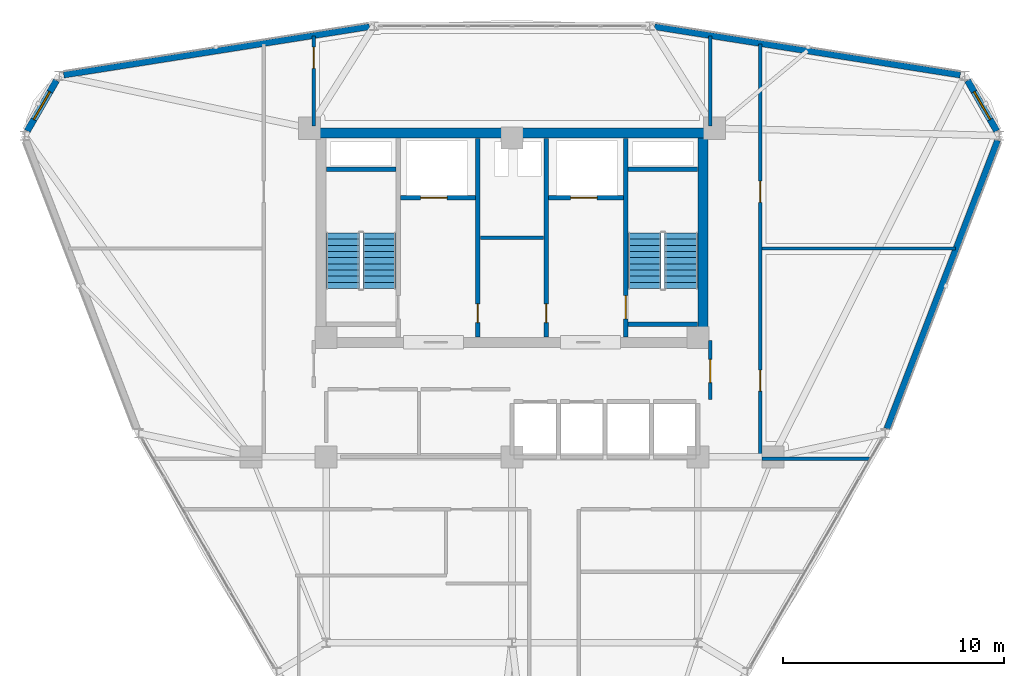
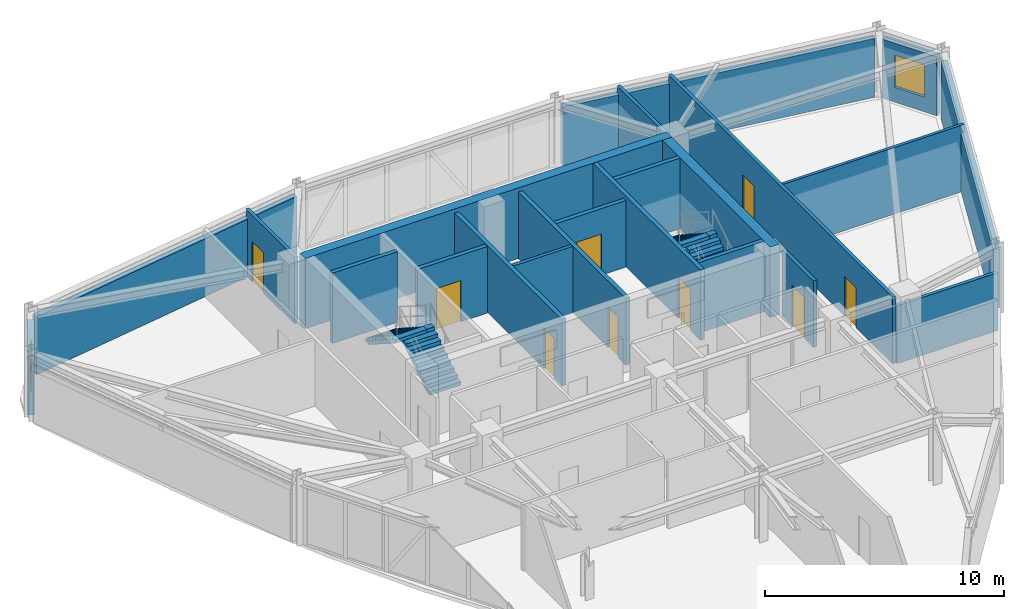
# One storey, part 11 of 14: 22 walls, 9 doors, 4 stair flights, 2 windows, 11 openings, 2 elements without a shape of their own.
"""IFC4 building model written with IfcOpenShell, lengths in metres."""

import ifcopenshell
import ifcopenshell.guid

model = None  # the IFC model being written
_history = None  # IfcOwnerHistory: only IFC2X3 demands one
_inside = {}  # id of a spatial element -> (the spatial element, [elements in it])
_under = {}  # id of a project, library or spatial element -> (it, [spatial elements below it])
_declared = {}  # id of a project -> (the project, [libraries it declares])
_typed = {}  # id of a type object -> (the type object, [elements of that type])
_made_of = {}  # id of a material, layer set ... -> (it, [elements and type objects made of it])


def new_model(schema):
    """Start an empty IFC model of exactly this schema.

    Asked for "IFC4X3", IfcOpenShell would pick the latest addendum, in which some entities
    have other attributes; the version numbers below select the first issue.
    IFC2X3 requires an IfcOwnerHistory on every rooted entity: one is made here for all.
    """
    global model, _history
    if schema == "IFC4X3":
        model = ifcopenshell.file(schema_version=(4, 3, 0, 0))
    else:
        model = ifcopenshell.file(schema=schema)
    _inside.clear()
    _under.clear()
    _declared.clear()
    _typed.clear()
    _made_of.clear()
    _history = None
    if model.schema == "IFC2X3":
        org = make("IfcOrganization", Name="unknown")
        user = make(
            "IfcPersonAndOrganization",
            ThePerson=make("IfcPerson", FamilyName="unknown"),
            TheOrganization=org,
        )
        app = make(
            "IfcApplication",
            ApplicationDeveloper=org,
            Version="unknown",
            ApplicationFullName="unknown",
            ApplicationIdentifier="unknown",
        )
        _history = make(
            "IfcOwnerHistory",
            OwningUser=user,
            OwningApplication=app,
            ChangeAction="ADDED",
            CreationDate=0,
        )
    return model


def make(cls, **values):
    """One entity of the class cls with the attributes given. An attribute that is None is left unset."""
    return model.create_entity(
        cls, **{name: value for name, value in values.items() if value is not None}
    )


def rooted(cls, **values):
    """An entity with a GlobalId (a new one), such as an element, a storey or a relation."""
    return make(cls, GlobalId=ifcopenshell.guid.new(), OwnerHistory=_history, **values)


def si_unit(unit_type, name, prefix=None):
    """IfcSIUnit, for example si_unit("LENGTHUNIT", "METRE", prefix="MILLI")."""
    return make("IfcSIUnit", UnitType=unit_type, Prefix=prefix, Name=name)


def derived_unit(unit_type, elements):
    """IfcDerivedUnit: a product of units, each with its exponent."""
    return make(
        "IfcDerivedUnit",
        Elements=[
            make("IfcDerivedUnitElement", Unit=unit, Exponent=power)
            for unit, power in elements
        ],
        UnitType=unit_type,
    )


def assignment(units):
    """IfcUnitAssignment: the units of a project."""
    return None if units is None else make("IfcUnitAssignment", Units=units)


def point(xyz):
    """IfcCartesianPoint."""
    return None if xyz is None else make("IfcCartesianPoint", Coordinates=xyz)


def direction(xyz):
    """IfcDirection."""
    return None if xyz is None else make("IfcDirection", DirectionRatios=xyz)


def frame(location, z_axis=None, x_axis=None):
    """IfcAxis2Placement3D, a coordinate frame: its origin and axes. An axis left out is left unset."""
    return make(
        "IfcAxis2Placement3D",
        Location=point(location),
        Axis=direction(z_axis),
        RefDirection=direction(x_axis),
    )


def frame_2d(location, x_axis=None):
    """IfcAxis2Placement2D, a coordinate frame in the plane: its origin and x axis."""
    return make(
        "IfcAxis2Placement2D", Location=point(location), RefDirection=direction(x_axis)
    )


def origin():
    """The frame at (0, 0, 0) with its axes left unset."""
    return frame((0.0, 0.0, 0.0))


def place(relative_to, where):
    """IfcLocalPlacement: puts the frame where relative to a parent placement (None: the world)."""
    return make(
        "IfcLocalPlacement", PlacementRelTo=relative_to, RelativePlacement=where
    )


def context(
    kind, dimensions, precision=None, world=None, true_north=None, identifier=None
):
    """IfcGeometricRepresentationContext, for example the 3D "Model" context."""
    return make(
        "IfcGeometricRepresentationContext",
        ContextIdentifier=identifier,
        ContextType=kind,
        CoordinateSpaceDimension=dimensions,
        Precision=precision,
        WorldCoordinateSystem=world,
        TrueNorth=true_north,
    )


def subcontext(parent, identifier, kind, view, scale=None):
    """IfcGeometricRepresentationSubContext, for example "Body" below "Model"."""
    return make(
        "IfcGeometricRepresentationSubContext",
        ContextIdentifier=identifier,
        ContextType=kind,
        ParentContext=parent,
        TargetScale=scale,
        TargetView=view,
    )


def project(units=None, contexts=None):
    """IfcProject with its units and contexts."""
    return rooted(
        "IfcProject",
        Name="project",
        RepresentationContexts=contexts,
        UnitsInContext=assignment(units),
    )


def spatial(cls, under=None, at=None, **own):
    """A site, building, storey or space (cls), placed at a placement, below another one or the project."""
    s = rooted(cls, ObjectPlacement=at, **own)
    if under is not None:
        _under.setdefault(under.id(), (under, []))[1].append(s)
    return s


def polyline(points):
    """IfcPolyline through the points."""
    return make("IfcPolyline", Points=[point(p) for p in points])


def profile(cls, at=None, kind="AREA", **sizes):
    """A parametric profile (cls). Its sizes go by their IFC names, for example OverallWidth=200.0."""
    return make(cls, ProfileType=kind, Position=at, **sizes)


def rectangle(**sizes):
    """IfcRectangleProfileDef."""
    return profile("IfcRectangleProfileDef", **sizes)


def outline(outer, holes=None, kind="AREA"):
    """IfcArbitraryClosedProfileDef: a profile drawn as a closed curve; with holes, ...WithVoids."""
    if holes is None:
        return make("IfcArbitraryClosedProfileDef", ProfileType=kind, OuterCurve=outer)
    return make(
        "IfcArbitraryProfileDefWithVoids",
        ProfileType=kind,
        OuterCurve=outer,
        InnerCurves=holes,
    )


def extrude(swept, where, along, depth):
    """IfcExtrudedAreaSolid: the profile swept, set in the frame where, extruded along a direction by depth."""
    return make(
        "IfcExtrudedAreaSolid",
        SweptArea=swept,
        Position=where,
        ExtrudedDirection=direction(along),
        Depth=depth,
    )


def shape(context_of_items, identifier, shape_type, items):
    """IfcShapeRepresentation: the items that make up one representation, for example the "Body"."""
    return make(
        "IfcShapeRepresentation",
        ContextOfItems=context_of_items,
        RepresentationIdentifier=identifier,
        RepresentationType=shape_type,
        Items=items,
    )


def material(Name=None, Category=None):
    """IfcMaterial."""
    return make("IfcMaterial", Name=Name, Category=Category)


def layer(
    of_material, thickness, ventilated=None, Name=None, Category=None, Priority=None
):
    """IfcMaterialLayer: one layer of a wall or slab, of a material (None: an air gap)."""
    return make(
        "IfcMaterialLayer",
        Material=of_material,
        LayerThickness=thickness,
        IsVentilated=ventilated,
        Name=Name,
        Category=Category,
        Priority=Priority,
    )


def layer_set(layers, Name=None):
    """IfcMaterialLayerSet."""
    return make("IfcMaterialLayerSet", MaterialLayers=layers, LayerSetName=Name)


def made_of(thing, what):
    """Note that an element or type object is made of a material, layer set ...; save() writes the relation."""
    if what is not None:
        _made_of.setdefault(what.id(), (what, []))[1].append(thing)
    return thing


def type_object(cls, material=None, **own):
    """A type object (cls), such as IfcWallType, which elements share."""
    return made_of(rooted(cls, **own), material)


def element(
    cls,
    number,
    at=None,
    inside=None,
    cuts=None,
    type_object=None,
    material=None,
    context=None,
    identifier="Body",
    shape_type=None,
    held_by="IfcProductDefinitionShape",
    body=None,
    shapes=None,
    **own,
):
    """One element of the class cls, such as IfcWall. Its Tag is "e" and its number.

    at: its placement. inside: the storey or other place that contains it. cuts: it is an
    opening in that element (IfcRelVoidsElement). A single representation is given by context,
    identifier, shape_type and body (its items); several are given by shapes. held_by: the class
    of the entity that holds the representations. save() writes the other relations.
    """
    e = rooted(cls, Tag="e%d" % number, ObjectPlacement=at, **own)
    if body is not None:
        shapes = [shape(context, identifier, shape_type, body)]
    if shapes is not None:
        e.Representation = make(held_by, Representations=shapes)
    if inside is not None:
        _inside.setdefault(inside.id(), (inside, []))[1].append(e)
    if cuts is not None:
        rooted(
            "IfcRelVoidsElement", RelatingBuildingElement=cuts, RelatedOpeningElement=e
        )
    if type_object is not None:
        _typed.setdefault(type_object.id(), (type_object, []))[1].append(e)
    return made_of(e, material)


def fill(opening, filler):
    """IfcRelFillsElement: the door or window that sits in an opening."""
    return rooted(
        "IfcRelFillsElement",
        RelatingOpeningElement=opening,
        RelatedBuildingElement=filler,
    )


def aggregate(whole, parts):
    """IfcRelAggregates: a whole, such as a stair, and the parts it consists of."""
    return rooted("IfcRelAggregates", RelatingObject=whole, RelatedObjects=parts)


def save(model, path):
    """Write the relations noted so far, then the file.

    IfcRelAggregates (storeys below a building ...), IfcRelContainedInSpatialStructure (elements
    in a storey), IfcRelDefinesByType, IfcRelAssociatesMaterial and IfcRelDeclares: one each for
    every whole, place, type object, material and project.
    """
    for whole, parts in _under.values():
        aggregate(whole, parts)
    for where, things in _inside.values():
        rooted(
            "IfcRelContainedInSpatialStructure",
            RelatedElements=things,
            RelatingStructure=where,
        )
    for kind, things in _typed.values():
        rooted("IfcRelDefinesByType", RelatedObjects=things, RelatingType=kind)
    for what, things in _made_of.values():
        rooted("IfcRelAssociatesMaterial", RelatedObjects=things, RelatingMaterial=what)
    for by, libraries in _declared.values():
        rooted("IfcRelDeclares", RelatingContext=by, RelatedDefinitions=libraries)
    model.write(path)


model = new_model("IFC4")

# Units and contexts
model_context = context("Model", 3, precision=1e-05, world=origin(), true_north=direction((0.0, 1.0)))
body_context = subcontext(model_context, "Body", "Model", "MODEL_VIEW")
ifc_project = project(units=[si_unit("LENGTHUNIT", "METRE"), si_unit("AREAUNIT", "SQUARE_METRE"), si_unit("VOLUMEUNIT", "CUBIC_METRE"), si_unit("PLANEANGLEUNIT", "RADIAN"), si_unit("MASSUNIT", "GRAM", prefix="KILO"), derived_unit("THERMALTRANSMITTANCEUNIT", [(si_unit("POWERUNIT", "WATT"), 1), (si_unit("LENGTHUNIT", "METRE"), -2), (si_unit("THERMODYNAMICTEMPERATUREUNIT", "KELVIN"), -1)])], contexts=[model_context])

# Site, building, storey
site_placement = place(None, origin())
site = spatial("IfcSite", under=ifc_project, at=site_placement, CompositionType="ELEMENT")
building_placement = place(site_placement, origin())
building = spatial("IfcBuilding", under=site, at=building_placement, Name="Korsvarv Bourse and Concert Hall", CompositionType="ELEMENT")
storey_placement = place(building_placement, frame((0.0, 0.0, 190.199951171875)))
storey = spatial("IfcBuildingStorey", under=building, at=storey_placement, Name="L49", CompositionType="ELEMENT", Elevation=190.199951171875)

# Wall
ifc_material_1 = material(Name="Concrete C50/60", Category="concrete")
ifc_layer_1 = layer(ifc_material_1, 0.3798828125)
ifc_layer_set_1 = layer_set([ifc_layer_1], Name="Concrete C50/60")
wall_type_1 = type_object("IfcWallType", Name="WL-CORE-380", PredefinedType="SHEAR", material=ifc_layer_set_1)
wall_1_placement = place(storey_placement, frame((27.610107421875, 45.39990234375, 0.0), z_axis=(0.0, 0.0, 1.0), x_axis=(1.0, 0.0, 0.0)))
element("IfcWall", 1, at=wall_1_placement, inside=storey, type_object=wall_type_1, Name="L49 stair shaft structural wall W-L49-ST1-N", PredefinedType="SHEAR", context=body_context, shape_type="SweptSolid", body=[
    extrude(rectangle(XDim=3.139892578125, YDim=0.199951171875, at=frame_2d((1.56982421875, 0.0))), origin(), (0.0, 0.0, 1.0), 3.60009765625),
])

# Wall, opening, door
wall_2_placement = place(storey_placement, frame((41.139892578125, 37.81005859375, 0.0), z_axis=(0.0, 0.0, 1.0), x_axis=(0.0, 1.0, 0.0)))
wall_2 = element("IfcWall", 2, at=wall_2_placement, inside=storey, type_object=wall_type_1, Name="L49 stair shaft structural wall W-L49-ST2-W", PredefinedType="SHEAR", context=body_context, shape_type="SweptSolid", body=[
    extrude(rectangle(XDim=8.97998046875, YDim=0.199951171875, at=frame_2d((4.489990234375, 0.0))), origin(), (0.0, 0.0, 1.0), 3.60009765625),
])
opening_1_placement = place(wall_2_placement, frame((0.820068359375, 0.0, 0.0)))
opening_1 = element("IfcOpeningElement", 3, at=opening_1_placement, cuts=wall_2, Name="Opening D-01", PredefinedType="OPENING", context=body_context, shape_type="SweptSolid", body=[
    extrude(rectangle(XDim=1.050048828125, YDim=2.10009765625, at=frame_2d((0.52490234375, 1.050048828125))), frame((0.0, 0.10986328125, 0.0), z_axis=(0.0, -1.0, 0.0), x_axis=(1.0, 0.0, 0.0)), (0.0, 0.0, 1.0), 0.219970703125),
])
ifc_material_2 = material(Name="Steel S355 fire door", Category="steel")
door_type_1 = type_object("IfcDoorType", Name="DR-FD60", OperationType="NOTDEFINED", PredefinedType="DOOR", material=ifc_material_2)
door_1_placement = place(opening_1_placement, frame((1.050048828125, 0.0, 0.0), z_axis=(0.0, 0.0, 1.0), x_axis=(-1.0, 0.0, 0.0)))
door_1 = element("IfcDoor", 4, at=door_1_placement, inside=storey, type_object=door_type_1, Name="L49 interior door DR-L49-ST2", OperationType="SINGLE_SWING_RIGHT", OverallHeight=2.10009765625, OverallWidth=1.050048828125, PredefinedType="DOOR", context=body_context, shape_type="SweptSolid", body=[
    extrude(rectangle(XDim=1.050048828125, YDim=2.10009765625, at=frame_2d((0.52490234375, 1.050048828125))), frame((0.0, 0.02490234375, 0.0), z_axis=(0.0, -1.0, 0.0), x_axis=(1.0, 0.0, 0.0)), (0.0, 0.0, 1.0), 0.050048828125),
])
fill(opening_1, door_1)

# Walls
for number, where, z_axis, x_axis, name in (
    (5, (41.25, 45.39990234375, 0.0), (0.0, 0.0, 1.0), (1.0, 0.0, 0.0), "L49 stair shaft structural wall W-L49-ST2-N"),
    (6, (41.25, 38.39990234375, 0.0), (0.0, 0.0, 1.0), (1.0, 0.0, 0.0), "L49 stair shaft structural wall W-L49-ST2-S"),
):
    element("IfcWall", number, at=place(storey_placement, frame(where, z_axis=z_axis, x_axis=x_axis)), inside=storey, type_object=wall_type_1, Name=name, PredefinedType="SHEAR", context=body_context, shape_type="SweptSolid", body=[
        extrude(rectangle(XDim=3.139892578125, YDim=0.199951171875, at=frame_2d((1.56982421875, 0.0))), origin(), (0.0, 0.0, 1.0), 3.60009765625),
    ])
ifc_material_3 = material(Name="Concrete C55/67", Category="concrete")
ifc_layer_2 = layer(ifc_material_3, 0.449951171875)
ifc_layer_set_2 = layer_set([ifc_layer_2], Name="Concrete C55/67")
wall_type_2 = type_object("IfcWallType", Name="WL-CORE-450", PredefinedType="SHEAR", material=ifc_layer_set_2)
wall_3_placement = place(storey_placement, frame((27.14990234375, 47.02490234375, 0.0), z_axis=(0.0, 0.0, 1.0), x_axis=(1.0, 0.0, 0.0)))
element("IfcWall", 7, at=wall_3_placement, inside=storey, type_object=wall_type_2, Name="L49 North Core Shear Wall", PredefinedType="SHEAR", context=body_context, shape_type="SweptSolid", body=[
    extrude(rectangle(XDim=17.7001953125, YDim=0.449951171875, at=frame_2d((8.85009765625, 0.0))), origin(), (0.0, 0.0, 1.0), 3.60009765625),
])
wall_4_placement = place(storey_placement, frame((44.625, 37.800048828125, 0.0), z_axis=(0.0, 0.0, 1.0), x_axis=(0.0, 1.0, 0.0)))
element("IfcWall", 8, at=wall_4_placement, inside=storey, type_object=wall_type_2, Name="L49 East Core Shear Wall", PredefinedType="SHEAR", context=body_context, shape_type="SweptSolid", body=[
    extrude(rectangle(XDim=9.0, YDim=0.449951171875, at=frame_2d((4.5, 0.0))), origin(), (0.0, 0.0, 1.0), 3.60009765625),
])

# Wall, opening, window
ifc_material_4 = material(Name="Precast concrete C45/55 with terracotta rainscreen", Category="concrete")
ifc_layer_3 = layer(ifc_material_4, 0.300048828125)
ifc_layer_set_3 = layer_set([ifc_layer_3], Name="Precast concrete C45/55 with terracotta rainscreen")
wall_type_3 = type_object("IfcWallType", Name="WL-EXT-TC1", PredefinedType="SOLIDWALL", material=ifc_layer_set_3)
wall_5_placement = place(storey_placement, frame((57.9072265625, 47.12548828125, 0.0), z_axis=(0.0, 0.0, 1.0), x_axis=(-0.500061666259, 0.865989797826, 0.0)))
wall_5 = element("IfcWall", 9, at=wall_5_placement, inside=storey, type_object=wall_type_3, Name="L49 terracotta exterior wall EW-L49-B01", PredefinedType="SOLIDWALL", context=body_context, shape_type="SweptSolid", body=[
    extrude(rectangle(XDim=2.637451171875, YDim=0.300048828125, at=frame_2d((1.31884765625, 0.0))), origin(), (0.0, 0.0, 1.0), 3.010009765625),
])
opening_2_placement = place(wall_5_placement, frame((0.59375, 0.0, 0.75)))
opening_2 = element("IfcOpeningElement", 10, at=opening_2_placement, cuts=wall_5, Name="Opening W-02", PredefinedType="OPENING", context=body_context, shape_type="SweptSolid", body=[
    extrude(rectangle(XDim=1.449951171875, YDim=1.64990234375, at=frame_2d((0.72509765625, 0.824951171875))), frame((0.0, 0.16015625, 0.0), z_axis=(0.0, -1.0, 0.0), x_axis=(1.0, 0.0, 0.0)), (0.0, 0.0, 1.0), 0.320068359375),
])
ifc_material_5 = material(Name="Thermally broken aluminium frame with triple low-E glass", Category="glass")
window_type = type_object("IfcWindowType", Name="WIN-TW2", PartitioningType="SINGLE_PANEL", PredefinedType="WINDOW", material=ifc_material_5)
window_1_placement = place(opening_2_placement, origin())
window_1 = element("IfcWindow", 11, at=window_1_placement, inside=storey, type_object=window_type, Name="L49 punched facade window W-02", OverallHeight=1.64990234375, OverallWidth=1.449951171875, PartitioningType="SINGLE_PANEL", PredefinedType="WINDOW", context=body_context, shape_type="SweptSolid", body=[
    extrude(rectangle(XDim=1.449951171875, YDim=1.64990234375, at=frame_2d((0.72509765625, 0.824951171875))), frame((0.0, 0.030029296875, 0.0), z_axis=(0.0, -1.0, 0.0), x_axis=(1.0, 0.0, 0.0)), (0.0, 0.0, 1.0), 0.06005859375),
])
fill(opening_2, window_1)

wall_6_placement = place(storey_placement, frame((15.41162109375, 49.409423828125, 0.0), z_axis=(0.0, 0.0, 1.0), x_axis=(-0.500061666259, -0.865989797826, 0.0)))
wall_6 = element("IfcWall", 12, at=wall_6_placement, inside=storey, type_object=wall_type_3, Name="L49 terracotta exterior wall EW-L49-B05", PredefinedType="SOLIDWALL", context=body_context, shape_type="SweptSolid", body=[
    extrude(rectangle(XDim=2.637451171875, YDim=0.300048828125, at=frame_2d((1.31884765625, 0.0))), origin(), (0.0, 0.0, 1.0), 3.010009765625),
])
opening_3_placement = place(wall_6_placement, frame((0.59375, 0.0, 0.75)))
opening_3 = element("IfcOpeningElement", 13, at=opening_3_placement, cuts=wall_6, Name="Opening W-02", PredefinedType="OPENING", context=body_context, shape_type="SweptSolid", body=[
    extrude(rectangle(XDim=1.449951171875, YDim=1.64990234375, at=frame_2d((0.72509765625, 0.824951171875))), frame((0.0, 0.16015625, 0.0), z_axis=(0.0, -1.0, 0.0), x_axis=(1.0, 0.0, 0.0)), (0.0, 0.0, 1.0), 0.320068359375),
])
window_2_placement = place(opening_3_placement, origin())
window_2 = element("IfcWindow", 14, at=window_2_placement, inside=storey, type_object=window_type, Name="L49 punched facade window W-02", OverallHeight=1.64990234375, OverallWidth=1.449951171875, PartitioningType="SINGLE_PANEL", PredefinedType="WINDOW", context=body_context, shape_type="SweptSolid", body=[
    extrude(rectangle(XDim=1.449951171875, YDim=1.64990234375, at=frame_2d((0.72509765625, 0.824951171875))), frame((0.0, 0.030029296875, 0.0), z_axis=(0.0, -1.0, 0.0), x_axis=(1.0, 0.0, 0.0)), (0.0, 0.0, 1.0), 0.06005859375),
])
fill(opening_3, window_2)

# Walls
ifc_material_6 = material(Name="Precast concrete C45/55 with fluted terracotta pier", Category="concrete")
ifc_layer_4 = layer(ifc_material_6, 0.280029296875)
ifc_layer_set_4 = layer_set([ifc_layer_4], Name="Precast concrete C45/55 with fluted terracotta pier")
wall_type_4 = type_object("IfcWallType", Name="WL-EXT-TC2", PredefinedType="SOLIDWALL", material=ifc_layer_set_4)
wall_7_placement = place(storey_placement, frame((56.257568359375, 49.655517578125, 0.0), z_axis=(0.0, 0.0, 1.0), x_axis=(-0.987743003355, 0.15608894683, 0.0)))
element("IfcWall", 15, at=wall_7_placement, inside=storey, type_object=wall_type_4, Name="L49 terracotta exterior wall EW-L49-B02", PredefinedType="SOLIDWALL", context=body_context, shape_type="SweptSolid", body=[
    extrude(rectangle(XDim=13.98779296875, YDim=0.280029296875, at=frame_2d((6.993896484375, 0.0))), origin(), (0.0, 0.0, 1.0), 3.010009765625),
])
wall_8_placement = place(storey_placement, frame((29.558837890625, 51.8388671875, 0.0), z_axis=(0.0, 0.0, 1.0), x_axis=(-0.987743003355, -0.15608894683, 0.0)))
element("IfcWall", 16, at=wall_8_placement, inside=storey, type_object=wall_type_4, Name="L49 terracotta exterior wall EW-L49-B04", PredefinedType="SOLIDWALL", context=body_context, shape_type="SweptSolid", body=[
    extrude(rectangle(XDim=13.98779296875, YDim=0.280029296875, at=frame_2d((6.993896484375, 0.0))), origin(), (0.0, 0.0, 1.0), 2.949951171875),
])
wall_9_placement = place(storey_placement, frame((52.943603515625, 33.67529296875, 0.0), z_axis=(0.0, 0.0, 1.0), x_axis=(0.358703519473, 0.933451544065, 0.0)))
element("IfcWall", 17, at=wall_9_placement, inside=storey, type_object=wall_type_4, Name="L49 terracotta exterior wall EW-L49-B12", PredefinedType="SOLIDWALL", context=body_context, shape_type="SweptSolid", body=[
    extrude(rectangle(XDim=13.95263671875, YDim=0.280029296875, at=frame_2d((6.976318359375, 0.0))), origin(), (0.0, 0.0, 1.0), 3.010009765625),
])

# Wall, opening, door
ifc_material_7 = material(Name="Reinforced concrete blockwork C35/45 fire wall", Category="concrete")
ifc_layer_5 = layer(ifc_material_7, 0.199951171875)
ifc_layer_set_5 = layer_set([ifc_layer_5], Name="Reinforced concrete blockwork C35/45 fire wall")
wall_type_5 = type_object("IfcWallType", Name="WL-INT-EI120", PredefinedType="PARTITIONING", material=ifc_layer_set_5)
wall_10_placement = place(storey_placement, frame((30.969970703125, 44.10009765625, 0.0), z_axis=(0.0, 0.0, 1.0), x_axis=(1.0, 0.0, 0.0)))
wall_10 = element("IfcWall", 18, at=wall_10_placement, inside=storey, type_object=wall_type_5, Name="L49 interior partition wall W-L49-FF1-S", PredefinedType="PARTITIONING", context=body_context, shape_type="SweptSolid", body=[
    extrude(rectangle(XDim=3.380126953125, YDim=0.199951171875, at=frame_2d((1.68994140625, 0.0))), origin(), (0.0, 0.0, 1.0), 3.400146484375),
])
opening_4_placement = place(wall_10_placement, frame((0.89990234375, 0.0, 0.0)))
opening_4 = element("IfcOpeningElement", 19, at=opening_4_placement, cuts=wall_10, Name="Opening LD-1", PredefinedType="OPENING", context=body_context, shape_type="SweptSolid", body=[
    extrude(rectangle(XDim=1.199951171875, YDim=2.10009765625, at=frame_2d((0.60009765625, 1.050048828125))), frame((0.0, 0.10986328125, 0.0), z_axis=(0.0, -1.0, 0.0), x_axis=(1.0, 0.0, 0.0)), (0.0, 0.0, 1.0), 0.219970703125),
])
ifc_material_8 = material(Name="Stainless Steel S355 firefighting lift landing door", Category="steel")
door_type_2 = type_object("IfcDoorType", Name="DR-LIFT-FF", OperationType="DOUBLE_DOOR_SLIDING", PredefinedType="DOOR", material=ifc_material_8)
door_2_placement = place(opening_4_placement, origin())
door_2 = element("IfcDoor", 20, at=door_2_placement, inside=storey, type_object=door_type_2, Name="L49 lift sliding landing door LD-L49-FF1", OperationType="DOUBLE_DOOR_SLIDING", OverallHeight=2.10009765625, OverallWidth=1.199951171875, PredefinedType="DOOR", context=body_context, shape_type="SweptSolid", body=[
    extrude(rectangle(XDim=1.199951171875, YDim=2.10009765625, at=frame_2d((0.60009765625, 1.050048828125))), frame((0.0, 0.02490234375, 0.0), z_axis=(0.0, -1.0, 0.0), x_axis=(1.0, 0.0, 0.0)), (0.0, 0.0, 1.0), 0.050048828125),
])
fill(opening_4, door_2)

wall_11_placement = place(storey_placement, frame((37.64990234375, 44.10009765625, 0.0), z_axis=(0.0, 0.0, 1.0), x_axis=(1.0, 0.0, 0.0)))
wall_11 = element("IfcWall", 21, at=wall_11_placement, inside=storey, type_object=wall_type_5, Name="L49 interior partition wall W-L49-FF2-S", PredefinedType="PARTITIONING", context=body_context, shape_type="SweptSolid", body=[
    extrude(rectangle(XDim=3.380126953125, YDim=0.199951171875, at=frame_2d((1.68994140625, 0.0))), origin(), (0.0, 0.0, 1.0), 3.400146484375),
])
opening_5_placement = place(wall_11_placement, frame((1.0, 0.0, 0.0)))
opening_5 = element("IfcOpeningElement", 22, at=opening_5_placement, cuts=wall_11, Name="Opening LD-1", PredefinedType="OPENING", context=body_context, shape_type="SweptSolid", body=[
    extrude(rectangle(XDim=1.199951171875, YDim=2.10009765625, at=frame_2d((0.60009765625, 1.050048828125))), frame((0.0, 0.10986328125, 0.0), z_axis=(0.0, -1.0, 0.0), x_axis=(1.0, 0.0, 0.0)), (0.0, 0.0, 1.0), 0.219970703125),
])
door_3_placement = place(opening_5_placement, origin())
door_3 = element("IfcDoor", 23, at=door_3_placement, inside=storey, type_object=door_type_2, Name="L49 lift sliding landing door LD-L49-FF2", OperationType="DOUBLE_DOOR_SLIDING", OverallHeight=2.10009765625, OverallWidth=1.199951171875, PredefinedType="DOOR", context=body_context, shape_type="SweptSolid", body=[
    extrude(rectangle(XDim=1.199951171875, YDim=2.10009765625, at=frame_2d((0.60009765625, 1.050048828125))), frame((0.0, 0.02490234375, 0.0), z_axis=(0.0, -1.0, 0.0), x_axis=(1.0, 0.0, 0.0)), (0.0, 0.0, 1.0), 0.050048828125),
])
fill(opening_5, door_3)

wall_12_placement = place(storey_placement, frame((34.4599609375, 37.81005859375, 0.0), z_axis=(0.0, 0.0, 1.0), x_axis=(0.0, 1.0, 0.0)))
wall_12 = element("IfcWall", 24, at=wall_12_placement, inside=storey, type_object=wall_type_5, Name="L49 interior partition wall W-L49-CSB-W", PredefinedType="PARTITIONING", context=body_context, shape_type="SweptSolid", body=[
    extrude(rectangle(XDim=8.97998046875, YDim=0.199951171875, at=frame_2d((4.489990234375, 0.0))), origin(), (0.0, 0.0, 1.0), 3.400146484375),
])
opening_6_placement = place(wall_12_placement, frame((0.64990234375, 0.0, 0.0)))
opening_6 = element("IfcOpeningElement", 25, at=opening_6_placement, cuts=wall_12, Name="Opening D-05", PredefinedType="OPENING", context=body_context, shape_type="SweptSolid", body=[
    extrude(rectangle(XDim=0.85009765625, YDim=2.050048828125, at=frame_2d((0.425048828125, 1.02490234375))), frame((0.0, 0.10986328125, 0.0), z_axis=(0.0, -1.0, 0.0), x_axis=(1.0, 0.0, 0.0)), (0.0, 0.0, 1.0), 0.219970703125),
])
door_type_3 = type_object("IfcDoorType", Name="DR-FD60-850X2050", OperationType="NOTDEFINED", PredefinedType="DOOR", material=ifc_material_2)
door_4_placement = place(opening_6_placement, frame((0.85009765625, 0.0, 0.0), z_axis=(0.0, 0.0, 1.0), x_axis=(-1.0, 0.0, 0.0)))
door_4 = element("IfcDoor", 26, at=door_4_placement, inside=storey, type_object=door_type_3, Name="L49 interior door DR-L49-CSB1", OperationType="SINGLE_SWING_LEFT", OverallHeight=2.050048828125, OverallWidth=0.85009765625, PredefinedType="DOOR", context=body_context, shape_type="SweptSolid", body=[
    extrude(rectangle(XDim=0.85009765625, YDim=2.050048828125, at=frame_2d((0.425048828125, 1.02490234375))), frame((0.0, 0.02490234375, 0.0), z_axis=(0.0, -1.0, 0.0), x_axis=(1.0, 0.0, 0.0)), (0.0, 0.0, 1.0), 0.050048828125),
])
fill(opening_6, door_4)

wall_13_placement = place(storey_placement, frame((37.5400390625, 37.81005859375, 0.0), z_axis=(0.0, 0.0, 1.0), x_axis=(0.0, 1.0, 0.0)))
wall_13 = element("IfcWall", 27, at=wall_13_placement, inside=storey, type_object=wall_type_5, Name="L49 interior partition wall W-L49-CSB-E", PredefinedType="PARTITIONING", context=body_context, shape_type="SweptSolid", body=[
    extrude(rectangle(XDim=8.97998046875, YDim=0.199951171875, at=frame_2d((4.489990234375, 0.0))), origin(), (0.0, 0.0, 1.0), 3.400146484375),
])
opening_7_placement = place(wall_13_placement, frame((0.64990234375, 0.0, 0.0)))
opening_7 = element("IfcOpeningElement", 28, at=opening_7_placement, cuts=wall_13, Name="Opening D-05", PredefinedType="OPENING", context=body_context, shape_type="SweptSolid", body=[
    extrude(rectangle(XDim=0.85009765625, YDim=2.050048828125, at=frame_2d((0.425048828125, 1.02490234375))), frame((0.0, 0.10986328125, 0.0), z_axis=(0.0, -1.0, 0.0), x_axis=(1.0, 0.0, 0.0)), (0.0, 0.0, 1.0), 0.219970703125),
])
door_5_placement = place(opening_7_placement, origin())
door_5 = element("IfcDoor", 29, at=door_5_placement, inside=storey, type_object=door_type_3, Name="L49 interior door DR-L49-CSB2", OperationType="SINGLE_SWING_RIGHT", OverallHeight=2.050048828125, OverallWidth=0.85009765625, PredefinedType="DOOR", context=body_context, shape_type="SweptSolid", body=[
    extrude(rectangle(XDim=0.85009765625, YDim=2.050048828125, at=frame_2d((0.425048828125, 1.02490234375))), frame((0.0, 0.02490234375, 0.0), z_axis=(0.0, -1.0, 0.0), x_axis=(1.0, 0.0, 0.0)), (0.0, 0.0, 1.0), 0.050048828125),
])
fill(opening_7, door_5)

# Wall
ifc_material_9 = material(Name="Double-stud fire-rated acoustic partition", Category="gypsum")
ifc_layer_6 = layer(ifc_material_9, 0.159912109375)
ifc_layer_set_6 = layer_set([ifc_layer_6], Name="Double-stud fire-rated acoustic partition")
wall_type_6 = type_object("IfcWallType", Name="WL-INT-EI60", PredefinedType="PARTITIONING", material=ifc_layer_set_6)
wall_14_placement = place(storey_placement, frame((34.570068359375, 42.300048828125, 0.0), z_axis=(0.0, 0.0, 1.0), x_axis=(1.0, 0.0, 0.0)))
element("IfcWall", 30, at=wall_14_placement, inside=storey, type_object=wall_type_6, Name="L49 interior partition wall W-L49-K1", PredefinedType="PARTITIONING", context=body_context, shape_type="SweptSolid", body=[
    extrude(rectangle(XDim=2.85986328125, YDim=0.159912109375, at=frame_2d((1.429931640625, 0.0))), origin(), (0.0, 0.0, 1.0), 3.400146484375),
])

# Wall, opening, door
wall_15_placement = place(storey_placement, frame((44.9599609375, 35.0, 0.0), z_axis=(0.0, 0.0, 1.0), x_axis=(0.0, 1.0, 0.0)))
wall_15 = element("IfcWall", 31, at=wall_15_placement, inside=storey, type_object=wall_type_6, Name="L49 interior partition wall W-L49-LOB-E", PredefinedType="PARTITIONING", context=body_context, shape_type="SweptSolid", body=[
    extrude(rectangle(XDim=2.64990234375, YDim=0.159912109375, at=frame_2d((1.324951171875, 0.0))), origin(), (0.0, 0.0, 1.0), 3.400146484375),
])
opening_8_placement = place(wall_15_placement, frame((0.75, 0.0, 0.0)))
opening_8 = element("IfcOpeningElement", 32, at=opening_8_placement, cuts=wall_15, Name="Opening D-01", PredefinedType="OPENING", context=body_context, shape_type="SweptSolid", body=[
    extrude(rectangle(XDim=1.050048828125, YDim=2.10009765625, at=frame_2d((0.52490234375, 1.050048828125))), frame((0.0, 0.08984375, 0.0), z_axis=(0.0, -1.0, 0.0), x_axis=(1.0, 0.0, 0.0)), (0.0, 0.0, 1.0), 0.179931640625),
])
door_6_placement = place(opening_8_placement, origin())
door_6 = element("IfcDoor", 33, at=door_6_placement, inside=storey, type_object=door_type_1, Name="L49 interior door DR-L49-LOBE", OperationType="SINGLE_SWING_RIGHT", OverallHeight=2.10009765625, OverallWidth=1.050048828125, PredefinedType="DOOR", context=body_context, shape_type="SweptSolid", body=[
    extrude(rectangle(XDim=1.050048828125, YDim=2.10009765625, at=frame_2d((0.52490234375, 1.050048828125))), frame((0.0, 0.02490234375, 0.0), z_axis=(0.0, -1.0, 0.0), x_axis=(1.0, 0.0, 0.0)), (0.0, 0.0, 1.0), 0.050048828125),
])
fill(opening_8, door_6)

# Wall, openings, doors
wall_16_placement = place(storey_placement, frame((47.22509765625, 32.31005859375, 0.0), z_axis=(0.0, 0.0, 1.0), x_axis=(0.0, 1.0, 0.0)))
wall_16 = element("IfcWall", 34, at=wall_16_placement, inside=storey, type_object=wall_type_6, Name="L49 interior partition wall W-L49-TCOR-01", PredefinedType="PARTITIONING", context=body_context, shape_type="SweptSolid", body=[
    extrude(rectangle(XDim=18.7529296875, YDim=0.159912109375, at=frame_2d((9.37646484375, 0.0))), origin(), (0.0, 0.0, 1.0), 3.400146484375),
])
opening_9_placement = place(wall_16_placement, frame((3.060302734375, 0.0, 0.0)))
opening_9 = element("IfcOpeningElement", 35, at=opening_9_placement, cuts=wall_16, Name="Opening D-02", PredefinedType="OPENING", context=body_context, shape_type="SweptSolid", body=[
    extrude(rectangle(XDim=0.949951171875, YDim=2.050048828125, at=frame_2d((0.47509765625, 1.02490234375))), frame((0.0, 0.08984375, 0.0), z_axis=(0.0, -1.0, 0.0), x_axis=(1.0, 0.0, 0.0)), (0.0, 0.0, 1.0), 0.179931640625),
])
opening_10_placement = place(wall_16_placement, frame((11.593017578125, 0.0, 0.0)))
opening_10 = element("IfcOpeningElement", 36, at=opening_10_placement, cuts=wall_16, Name="Opening D-02", PredefinedType="OPENING", context=body_context, shape_type="SweptSolid", body=[
    extrude(rectangle(XDim=0.949951171875, YDim=2.050048828125, at=frame_2d((0.47509765625, 1.02490234375))), frame((0.0, 0.08984375, 0.0), z_axis=(0.0, -1.0, 0.0), x_axis=(1.0, 0.0, 0.0)), (0.0, 0.0, 1.0), 0.179931640625),
])
ifc_material_10 = material(Name="Timber and steel acoustic fire door", Category="wood")
door_type_4 = type_object("IfcDoorType", Name="DR-FD30", OperationType="NOTDEFINED", PredefinedType="DOOR", material=ifc_material_10)
door_7_placement = place(opening_9_placement, origin())
door_7 = element("IfcDoor", 37, at=door_7_placement, inside=storey, type_object=door_type_4, Name="L49 interior door DR-L49-TCOR-FN81", OperationType="SINGLE_SWING_LEFT", OverallHeight=2.050048828125, OverallWidth=0.949951171875, PredefinedType="DOOR", context=body_context, shape_type="SweptSolid", body=[
    extrude(rectangle(XDim=0.949951171875, YDim=2.050048828125, at=frame_2d((0.47509765625, 1.02490234375))), frame((0.0, 0.02490234375, 0.0), z_axis=(0.0, -1.0, 0.0), x_axis=(1.0, 0.0, 0.0)), (0.0, 0.0, 1.0), 0.050048828125),
])
fill(opening_9, door_7)
door_8_placement = place(opening_10_placement, origin())
door_8 = element("IfcDoor", 38, at=door_8_placement, inside=storey, type_object=door_type_4, Name="L49 interior door DR-L49-TCOR-RM22", OperationType="SINGLE_SWING_RIGHT", OverallHeight=2.050048828125, OverallWidth=0.949951171875, PredefinedType="DOOR", context=body_context, shape_type="SweptSolid", body=[
    extrude(rectangle(XDim=0.949951171875, YDim=2.050048828125, at=frame_2d((0.47509765625, 1.02490234375))), frame((0.0, 0.02490234375, 0.0), z_axis=(0.0, -1.0, 0.0), x_axis=(1.0, 0.0, 0.0)), (0.0, 0.0, 1.0), 0.050048828125),
])
fill(opening_10, door_8)

# Wall
wall_17_placement = place(storey_placement, frame((47.306884765625, 32.31494140625, 0.0), z_axis=(0.0, 0.0, 1.0), x_axis=(1.0, 0.0, 0.0)))
element("IfcWall", 39, at=wall_17_placement, inside=storey, type_object=wall_type_6, Name="L49 interior partition wall W-L49-TCOR-07", PredefinedType="PARTITIONING", context=body_context, shape_type="SweptSolid", body=[
    extrude(rectangle(XDim=4.872802734375, YDim=0.159912109375, at=frame_2d((2.4365234375, 0.0))), origin(), (0.0, 0.0, 1.0), 2.949951171875),
])

# Wall, opening, door
wall_18_placement = place(storey_placement, frame((27.034912109375, 47.340087890625, 0.0), z_axis=(0.0, 0.0, 1.0), x_axis=(0.0, 1.0, 0.0)))
wall_18 = element("IfcWall", 40, at=wall_18_placement, inside=storey, type_object=wall_type_6, Name="L49 interior partition wall W-L49-TCOR-09", PredefinedType="PARTITIONING", context=body_context, shape_type="SweptSolid", body=[
    extrude(rectangle(XDim=4.079833984375, YDim=0.159912109375, at=frame_2d((2.0400390625, 0.0))), origin(), (0.0, 0.0, 1.0), 3.400146484375),
])
opening_11_placement = place(wall_18_placement, frame((2.618408203125, 0.0, 0.0)))
opening_11 = element("IfcOpeningElement", 41, at=opening_11_placement, cuts=wall_18, Name="Opening D-02", PredefinedType="OPENING", context=body_context, shape_type="SweptSolid", body=[
    extrude(rectangle(XDim=0.949951171875, YDim=2.050048828125, at=frame_2d((0.47509765625, 1.02490234375))), frame((0.0, 0.08984375, 0.0), z_axis=(0.0, -1.0, 0.0), x_axis=(1.0, 0.0, 0.0)), (0.0, 0.0, 1.0), 0.179931640625),
])
door_9_placement = place(opening_11_placement, origin())
door_9 = element("IfcDoor", 42, at=door_9_placement, inside=storey, type_object=door_type_4, Name="L49 interior door DR-L49-TCOR-FN55", OperationType="SINGLE_SWING_RIGHT", OverallHeight=2.050048828125, OverallWidth=0.949951171875, PredefinedType="DOOR", context=body_context, shape_type="SweptSolid", body=[
    extrude(rectangle(XDim=0.949951171875, YDim=2.050048828125, at=frame_2d((0.47509765625, 1.02490234375))), frame((0.0, 0.02490234375, 0.0), z_axis=(0.0, -1.0, 0.0), x_axis=(1.0, 0.0, 0.0)), (0.0, 0.0, 1.0), 0.050048828125),
])
fill(opening_11, door_9)

# Walls
wall_19_placement = place(storey_placement, frame((44.965087890625, 47.340087890625, 0.0), z_axis=(0.0, 0.0, 1.0), x_axis=(0.0, 1.0, 0.0)))
element("IfcWall", 43, at=wall_19_placement, inside=storey, type_object=wall_type_6, Name="L49 interior partition wall W-L49-TCOR-10", PredefinedType="PARTITIONING", context=body_context, shape_type="SweptSolid", body=[
    extrude(rectangle(XDim=4.079833984375, YDim=0.159912109375, at=frame_2d((2.0400390625, 0.0))), origin(), (0.0, 0.0, 1.0), 3.400146484375),
])
ifc_material_11 = material(Name="Insulated steel-stud office acoustic partition", Category="gypsum")
ifc_layer_7 = layer(ifc_material_11, 0.139892578125)
ifc_layer_set_7 = layer_set([ifc_layer_7], Name="Insulated steel-stud office acoustic partition")
wall_type_7 = type_object("IfcWallType", Name="WL-INT-P1", PredefinedType="PARTITIONING", material=ifc_layer_set_7)
wall_20_placement = place(storey_placement, frame((47.306884765625, 41.804931640625, 0.0), z_axis=(0.0, 0.0, 1.0), x_axis=(1.0, 0.0, 0.0)))
element("IfcWall", 44, at=wall_20_placement, inside=storey, type_object=wall_type_7, Name="L49 interior partition wall W-L49-TCOR-13", PredefinedType="PARTITIONING", context=body_context, shape_type="SweptSolid", body=[
    extrude(rectangle(XDim=8.74072265625, YDim=0.139892578125, at=frame_2d((4.370361328125, 0.0))), origin(), (0.0, 0.0, 1.0), 3.400146484375),
])

# Stair, stair flights
ifc_material_12 = material(Name="Precast concrete C45/55", Category="concrete")
stair_type = type_object("IfcStairType", Name="STR-TYPE-04", PredefinedType="HALF_TURN_STAIR", material=ifc_material_12)
stair_1_placement = place(storey_placement, origin())
stair_1 = element("IfcStair", 45, at=stair_1_placement, inside=storey, type_object=stair_type, Name="L49 Tower West Exit Stair ST-T1", PredefinedType="HALF_TURN_STAIR")
stair_flight_type = type_object("IfcStairFlightType", Name="FLT-TYPE-04", PredefinedType="STRAIGHT", material=ifc_material_12)
stair_flight_1_placement = place(storey_placement, frame((30.010009765625, 40.0, 0.0), z_axis=(0.0, 0.0, 1.0), x_axis=(0.0, 1.0, 0.0)))
stair_flight_1 = element("IfcStairFlight", 46, at=stair_flight_1_placement, type_object=stair_flight_type, Name="ST-T1 flight 1", NumberOfRisers=10, NumberOfTreads=9, PredefinedType="STRAIGHT", RiserHeight=0.18, TreadLength=0.28, context=body_context, shape_type="SweptSolid", body=[
    extrude(outline(polyline([(0.0, 0.0), (0.0, 0.179931640625), (0.280029296875, 0.179931640625), (0.280029296875, 0.360107421875), (0.56005859375, 0.360107421875), (0.56005859375, 0.5400390625), (0.840087890625, 0.5400390625), (0.840087890625, 0.719970703125), (1.1201171875, 0.719970703125), (1.1201171875, 0.89990234375), (1.39990234375, 0.89990234375), (1.39990234375, 1.080078125), (1.679931640625, 1.080078125), (1.679931640625, 1.260009765625), (1.9599609375, 1.260009765625), (1.9599609375, 1.43994140625), (2.239990234375, 1.43994140625), (2.239990234375, 1.6201171875), (2.52001953125, 1.6201171875), (2.52001953125, 1.800048828125), (2.52001953125, 1.44189453125), (0.277099609375, 0.0), (0.0, 0.0)])), frame((0.0, 0.75, 0.0), z_axis=(0.0, -1.0, 0.0), x_axis=(1.0, 0.0, 0.0)), (0.0, 0.0, 1.0), 1.5),
])
stair_flight_2_placement = place(storey_placement, frame((28.35009765625, 42.52001953125, 1.800048828125), z_axis=(0.0, 0.0, 1.0), x_axis=(0.0, -1.0, 0.0)))
stair_flight_2 = element("IfcStairFlight", 47, at=stair_flight_2_placement, type_object=stair_flight_type, Name="ST-T1 flight 2", NumberOfRisers=10, NumberOfTreads=9, PredefinedType="STRAIGHT", RiserHeight=0.18, TreadLength=0.28, context=body_context, shape_type="SweptSolid", body=[
    extrude(outline(polyline([(0.0, 0.0), (0.0, 0.179931640625), (0.280029296875, 0.179931640625), (0.280029296875, 0.360107421875), (0.56005859375, 0.360107421875), (0.56005859375, 0.5400390625), (0.840087890625, 0.5400390625), (0.840087890625, 0.719970703125), (1.1201171875, 0.719970703125), (1.1201171875, 0.89990234375), (1.39990234375, 0.89990234375), (1.39990234375, 1.080078125), (1.679931640625, 1.080078125), (1.679931640625, 1.260009765625), (1.9599609375, 1.260009765625), (1.9599609375, 1.43994140625), (2.239990234375, 1.43994140625), (2.239990234375, 1.6201171875), (2.52001953125, 1.6201171875), (2.52001953125, 1.800048828125), (2.52001953125, 1.44189453125), (0.277099609375, 0.0), (0.0, 0.0)])), frame((0.0, 0.75, 0.0), z_axis=(0.0, -1.0, 0.0), x_axis=(1.0, 0.0, 0.0)), (0.0, 0.0, 1.0), 1.5),
])
aggregate(stair_1, [stair_flight_1, stair_flight_2])

stair_2_placement = place(storey_placement, origin())
stair_2 = element("IfcStair", 48, at=stair_2_placement, inside=storey, type_object=stair_type, Name="L49 Tower East Exit Stair ST-T2", PredefinedType="HALF_TURN_STAIR")
stair_flight_3_placement = place(storey_placement, frame((43.64990234375, 40.0, 0.0), z_axis=(0.0, 0.0, 1.0), x_axis=(0.0, 1.0, 0.0)))
stair_flight_3 = element("IfcStairFlight", 49, at=stair_flight_3_placement, type_object=stair_flight_type, Name="ST-T2 flight 1", NumberOfRisers=10, NumberOfTreads=9, PredefinedType="STRAIGHT", RiserHeight=0.18, TreadLength=0.28, context=body_context, shape_type="SweptSolid", body=[
    extrude(outline(polyline([(0.0, 0.0), (0.0, 0.179931640625), (0.280029296875, 0.179931640625), (0.280029296875, 0.360107421875), (0.56005859375, 0.360107421875), (0.56005859375, 0.5400390625), (0.840087890625, 0.5400390625), (0.840087890625, 0.719970703125), (1.1201171875, 0.719970703125), (1.1201171875, 0.89990234375), (1.39990234375, 0.89990234375), (1.39990234375, 1.080078125), (1.679931640625, 1.080078125), (1.679931640625, 1.260009765625), (1.9599609375, 1.260009765625), (1.9599609375, 1.43994140625), (2.239990234375, 1.43994140625), (2.239990234375, 1.6201171875), (2.52001953125, 1.6201171875), (2.52001953125, 1.800048828125), (2.52001953125, 1.44189453125), (0.277099609375, 0.0), (0.0, 0.0)])), frame((0.0, 0.75, 0.0), z_axis=(0.0, -1.0, 0.0), x_axis=(1.0, 0.0, 0.0)), (0.0, 0.0, 1.0), 1.5),
])
stair_flight_4_placement = place(storey_placement, frame((41.989990234375, 42.52001953125, 1.800048828125), z_axis=(0.0, 0.0, 1.0), x_axis=(0.0, -1.0, 0.0)))
stair_flight_4 = element("IfcStairFlight", 50, at=stair_flight_4_placement, type_object=stair_flight_type, Name="ST-T2 flight 2", NumberOfRisers=10, NumberOfTreads=9, PredefinedType="STRAIGHT", RiserHeight=0.18, TreadLength=0.28, context=body_context, shape_type="SweptSolid", body=[
    extrude(outline(polyline([(0.0, 0.0), (0.0, 0.179931640625), (0.280029296875, 0.179931640625), (0.280029296875, 0.360107421875), (0.56005859375, 0.360107421875), (0.56005859375, 0.5400390625), (0.840087890625, 0.5400390625), (0.840087890625, 0.719970703125), (1.1201171875, 0.719970703125), (1.1201171875, 0.89990234375), (1.39990234375, 0.89990234375), (1.39990234375, 1.080078125), (1.679931640625, 1.080078125), (1.679931640625, 1.260009765625), (1.9599609375, 1.260009765625), (1.9599609375, 1.43994140625), (2.239990234375, 1.43994140625), (2.239990234375, 1.6201171875), (2.52001953125, 1.6201171875), (2.52001953125, 1.800048828125), (2.52001953125, 1.44189453125), (0.277099609375, 0.0), (0.0, 0.0)])), frame((0.0, 0.75, 0.0), z_axis=(0.0, -1.0, 0.0), x_axis=(1.0, 0.0, 0.0)), (0.0, 0.0, 1.0), 1.5),
])
aggregate(stair_2, [stair_flight_3, stair_flight_4])

save(model, "model.ifc")
